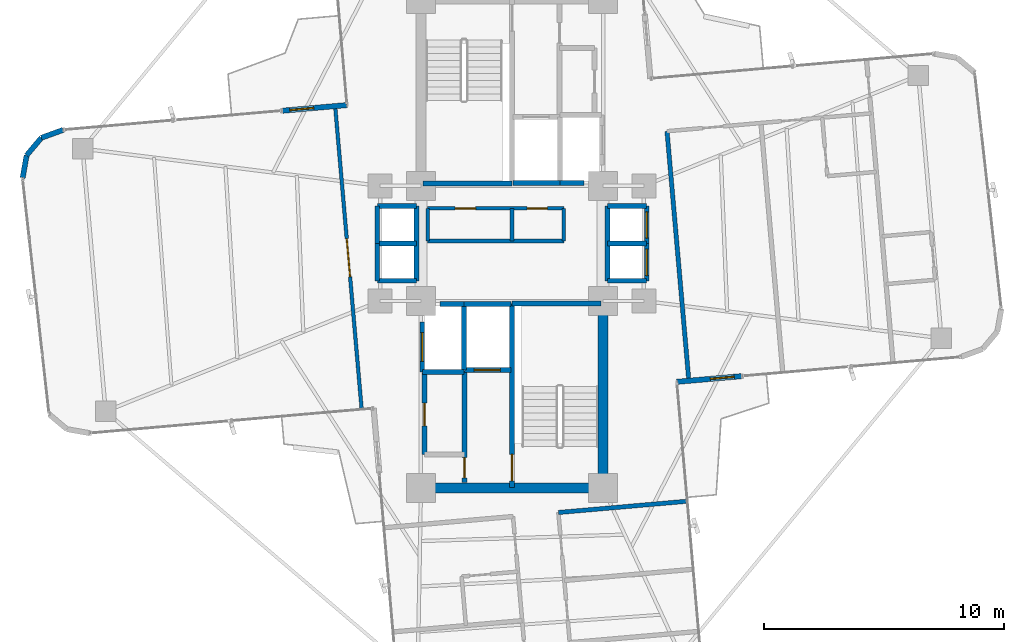
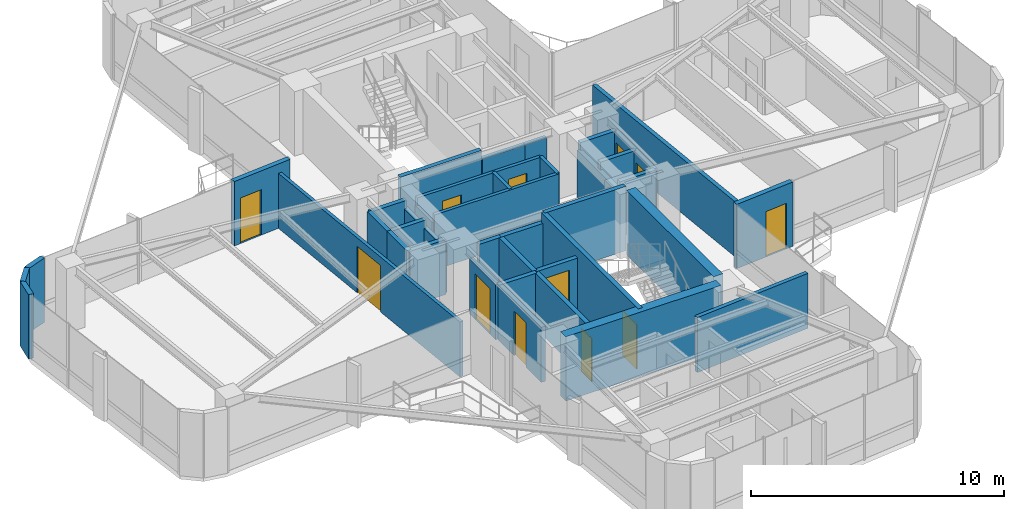
# One storey, part 21 of 24: 40 walls, 12 doors, 12 openings.
"""IFC4 building model written with IfcOpenShell, lengths in metres."""

from ifc_helpers import new_model, si_unit, direction, frame, frame_2d, origin, origin_2d, place, context, subcontext, project, spatial, rectangle, extrude, source, transform, mapped, material, layer, layer_set, type_object, element, fill, save


model = new_model("IFC4")

# Units and contexts
model_context = context("Model", 3, precision=1e-05, world=origin(), true_north=direction((0.0, 1.0)))
body_context = subcontext(model_context, "Body", "Model", "MODEL_VIEW")
ifc_project = project(units=[si_unit("LENGTHUNIT", "METRE"), si_unit("AREAUNIT", "SQUARE_METRE"), si_unit("VOLUMEUNIT", "CUBIC_METRE"), si_unit("PLANEANGLEUNIT", "RADIAN"), si_unit("MASSUNIT", "GRAM", prefix="KILO")], contexts=[model_context])

# Site, building, storey
site_placement = place(None, origin())
site = spatial("IfcSite", under=ifc_project, at=site_placement, CompositionType="ELEMENT")
building_placement = place(site_placement, origin())
building = spatial("IfcBuilding", under=site, at=building_placement, Name="Sahyath Konkavel Grand Hotel", CompositionType="ELEMENT")
storey_placement = place(building_placement, frame((0.0, 0.0, 175.199951171875)))
storey = spatial("IfcBuildingStorey", under=building, at=storey_placement, Name="L48", CompositionType="ELEMENT", Elevation=175.199951171875)

# Walls
ifc_material_1 = material(Name="Concrete C50/60", Category="concrete")
ifc_layer_1 = layer(ifc_material_1, 0.419921875)
ifc_layer_set_1 = layer_set([ifc_layer_1], Name="Concrete C50/60")
wall_type_1 = type_object("IfcWallType", Name="CWALL-420", PredefinedType="SHEAR", material=ifc_layer_set_1)
wall_1_placement = place(storey_placement, frame((-3.550048828125, -10.199951171875, 0.0), z_axis=(0.0, 0.0, 1.0), x_axis=(1.0, 0.0, 0.0)))
element("IfcWall", 1, at=wall_1_placement, inside=storey, type_object=wall_type_1, Name="L48 South Core Shear Wall S", PredefinedType="SHEAR", context=body_context, shape_type="SweptSolid", body=[
    extrude(rectangle(XDim=7.10009765625, YDim=0.419921875, at=frame_2d((3.550048828125, 0.0))), origin(), (0.0, 0.0, 1.0), 3.110107421875),
])
wall_2_placement = place(storey_placement, frame((3.800048828125, -9.75, 0.0), z_axis=(0.0, 0.0, 1.0), x_axis=(0.0, 1.0, 0.0)))
element("IfcWall", 2, at=wall_2_placement, inside=storey, type_object=wall_type_1, Name="L48 South Core Shear Wall E", PredefinedType="SHEAR", context=body_context, shape_type="SweptSolid", body=[
    extrude(rectangle(XDim=6.89990234375, YDim=0.419921875, at=frame_2d((3.449951171875, 0.0))), origin(), (0.0, 0.0, 1.0), 3.110107421875),
])

# Wall, opening, door
ifc_material_2 = material(Name="Warm Buff Sandstone Insulated Concrete C40/50", Category="masonry")
ifc_layer_2 = layer(ifc_material_2, 0.219970703125)
ifc_layer_set_2 = layer_set([ifc_layer_2], Name="Warm Buff Sandstone Insulated Concrete C40/50")
wall_type_2 = type_object("IfcWallType", Name="WLL-BALC-THRESH", PredefinedType="STANDARD", material=ifc_layer_set_2)
wall_3_placement = place(storey_placement, frame((6.87939453125, -5.7724609375, 0.0), z_axis=(0.0, 0.0, 1.0), x_axis=(0.996193619346, 0.087168071984, 0.0)))
wall_3 = element("IfcWall", 3, at=wall_3_placement, inside=storey, type_object=wall_type_2, Name="L48 Winter-Garden Threshold Wall 0", PredefinedType="STANDARD", context=body_context, shape_type="SweptSolid", body=[
    extrude(rectangle(XDim=2.699951171875, YDim=0.219970703125, at=frame_2d((1.35009765625, 0.0))), origin(), (0.0, 0.0, 1.0), 3.110107421875),
])
opening_1_placement = place(wall_3_placement, frame((1.39990234375, 0.0, 0.0)))
opening_1 = element("IfcOpeningElement", 4, at=opening_1_placement, cuts=wall_3, Name="Opening D-TR1", PredefinedType="OPENING", context=body_context, shape_type="SweptSolid", body=[
    extrude(rectangle(XDim=1.0, YDim=2.199951171875, at=frame_2d((0.5, 1.10009765625))), frame((0.0, 0.1201171875, 0.0), z_axis=(0.0, -1.0, 0.0), x_axis=(1.0, 0.0, 0.0)), (0.0, 0.0, 1.0), 0.239990234375),
])
ifc_material_3 = material(Name="Anodised Bronze Aluminium & Low-E Glazing", Category="aluminium")
door_type_1 = type_object("IfcDoorType", Name="DR-TERRACE-1000", OperationType="NOTDEFINED", PredefinedType="DOOR", material=ifc_material_3)
shared_shape_1 = source(origin(), body_context, "Body", "SweptSolid", [
    extrude(rectangle(XDim=1.0, YDim=0.050048828125, at=origin_2d()), origin(), (0.0, 0.0, 1.0), 2.199951171875),
])
door_1_placement = place(opening_1_placement, frame((0.5, 0.0, 0.0)))
door_1 = element("IfcDoor", 5, at=door_1_placement, inside=storey, type_object=door_type_1, Name="L48 Winter-Garden Terrace Door 0", OperationType="SINGLE_SWING_LEFT", OverallHeight=2.199951171875, OverallWidth=1.0, PredefinedType="DOOR", context=body_context, shape_type="MappedRepresentation", body=[
    mapped(shared_shape_1, transform((0.0, 0.0, 0.0), scale=1.0)),
])
fill(opening_1, door_1)

wall_4_placement = place(storey_placement, frame((-6.87939453125, 5.7724609375, 0.0), z_axis=(0.0, 0.0, 1.0), x_axis=(-0.996193619346, -0.087168071984, 0.0)))
wall_4 = element("IfcWall", 6, at=wall_4_placement, inside=storey, type_object=wall_type_2, Name="L48 Winter-Garden Threshold Wall 16", PredefinedType="STANDARD", context=body_context, shape_type="SweptSolid", body=[
    extrude(rectangle(XDim=2.699951171875, YDim=0.219970703125, at=frame_2d((1.35009765625, 0.0))), origin(), (0.0, 0.0, 1.0), 3.110107421875),
])
opening_2_placement = place(wall_4_placement, frame((1.39990234375, 0.0, 0.0)))
opening_2 = element("IfcOpeningElement", 7, at=opening_2_placement, cuts=wall_4, Name="Opening D-TR1", PredefinedType="OPENING", context=body_context, shape_type="SweptSolid", body=[
    extrude(rectangle(XDim=1.0, YDim=2.199951171875, at=frame_2d((0.5, 1.10009765625))), frame((0.0, 0.1201171875, 0.0), z_axis=(0.0, -1.0, 0.0), x_axis=(1.0, 0.0, 0.0)), (0.0, 0.0, 1.0), 0.239990234375),
])
door_2_placement = place(opening_2_placement, frame((0.5, 0.0, 0.0)))
door_2 = element("IfcDoor", 8, at=door_2_placement, inside=storey, type_object=door_type_1, Name="L48 Winter-Garden Terrace Door 16", OperationType="SINGLE_SWING_LEFT", OverallHeight=2.199951171875, OverallWidth=1.0, PredefinedType="DOOR", context=body_context, shape_type="MappedRepresentation", body=[
    mapped(shared_shape_1, transform((0.0, 0.0, 0.0), scale=1.0)),
])
fill(opening_2, door_2)

# Walls
wall_5_placement = place(storey_placement, frame((-18.73388671875, 4.735107421875, 0.0), z_axis=(0.0, 0.0, 1.0), x_axis=(-0.939741306239, -0.34188635151, 0.0)))
element("IfcWall", 9, at=wall_5_placement, inside=storey, type_object=wall_type_2, Name="L48 Rounded Corner Sandstone Pier 17", PredefinedType="STANDARD", context=body_context, shape_type="SweptSolid", body=[
    extrude(rectangle(XDim=0.95751953125, YDim=0.219970703125, at=frame_2d((0.478759765625, 0.0))), origin(), (0.0, 0.0, 1.0), 3.110107421875),
])
for number, where, z_axis, x_axis, name in (
    (10, (-19.6337890625, 4.40771484375, 0.0), (0.0, 0.0, 1.0), (-0.642863236823, -0.765980978054, 0.0), "L48 Rounded Corner Sandstone Pier 18"),
    (11, (-20.24951171875, 3.674072265625, 0.0), (0.0, 0.0, 1.0), (-0.173610811841, -0.984814340885, 0.0), "L48 Rounded Corner Sandstone Pier 19"),
):
    element("IfcWall", number, at=place(storey_placement, frame(where, z_axis=z_axis, x_axis=x_axis)), inside=storey, type_object=wall_type_2, Name=name, PredefinedType="STANDARD", context=body_context, shape_type="SweptSolid", body=[
        extrude(rectangle(XDim=0.957763671875, YDim=0.219970703125, at=frame_2d((0.47900390625, 0.0))), origin(), (0.0, 0.0, 1.0), 3.110107421875),
    ])
ifc_material_4 = material(Name="Concrete C40/50", Category="concrete")
ifc_layer_3 = layer(ifc_material_4, 0.199951171875)
ifc_layer_set_3 = layer_set([ifc_layer_3], Name="Concrete C40/50")
wall_type_3 = type_object("IfcWallType", Name="WLL-CORE-200", PredefinedType="SOLIDWALL", material=ifc_layer_set_3)
wall_6_placement = place(storey_placement, frame((-3.719970703125, 2.5, 0.0), z_axis=(0.0, 0.0, 1.0), x_axis=(1.0, 0.0, 0.0)))
element("IfcWall", 12, at=wall_6_placement, inside=storey, type_object=wall_type_3, Name="L48 Stair ST-1 Shaft Wall S", PredefinedType="SOLIDWALL", context=body_context, shape_type="SweptSolid", body=[
    extrude(rectangle(XDim=3.719970703125, YDim=0.199951171875, at=frame_2d((1.85986328125, 0.0))), origin(), (0.0, 0.0, 1.0), 3.110107421875),
])

# Wall, opening, door
wall_7_placement = place(storey_placement, frame((0.0, -10.179931640625, 0.0), z_axis=(0.0, 0.0, 1.0), x_axis=(0.0, 1.0, 0.0)))
wall_7 = element("IfcWall", 13, at=wall_7_placement, inside=storey, type_object=wall_type_3, Name="L48 Stair ST-2 Shaft Wall W", PredefinedType="SOLIDWALL", context=body_context, shape_type="SweptSolid", body=[
    extrude(rectangle(XDim=7.679931640625, YDim=0.199951171875, at=frame_2d((3.83984375, 0.0))), origin(), (0.0, 0.0, 1.0), 3.110107421875),
])
opening_3_placement = place(wall_7_placement, frame((0.280029296875, 0.0, 0.0)))
opening_3 = element("IfcOpeningElement", 14, at=opening_3_placement, cuts=wall_7, Name="Opening D-F12B", PredefinedType="OPENING", context=body_context, shape_type="SweptSolid", body=[
    extrude(rectangle(XDim=1.10009765625, YDim=2.14990234375, at=frame_2d((0.550048828125, 1.074951171875))), frame((0.0, 0.10986328125, 0.0), z_axis=(0.0, -1.0, 0.0), x_axis=(1.0, 0.0, 0.0)), (0.0, 0.0, 1.0), 0.219970703125),
])
ifc_material_5 = material(Name="Steel E350 Smokeproof Fire Door", Category="steel")
door_type_2 = type_object("IfcDoorType", Name="DR-FD120-1100", OperationType="NOTDEFINED", PredefinedType="DOOR", material=ifc_material_5)
shared_shape_2 = source(origin(), body_context, "Body", "SweptSolid", [
    extrude(rectangle(XDim=1.10009765625, YDim=0.050048828125, at=origin_2d()), origin(), (0.0, 0.0, 1.0), 2.14990234375),
])
door_3_placement = place(opening_3_placement, frame((0.550048828125, 0.0, 0.0)))
door_3 = element("IfcDoor", 15, at=door_3_placement, inside=storey, type_object=door_type_2, Name="L48 Stair ST-2 Fire Door", OperationType="SINGLE_SWING_LEFT", OverallHeight=2.14990234375, OverallWidth=1.10009765625, PredefinedType="DOOR", context=body_context, shape_type="MappedRepresentation", body=[
    mapped(shared_shape_2, transform((0.0, 0.0, 0.0), scale=1.0)),
])
fill(opening_3, door_3)

# Wall
wall_8_placement = place(storey_placement, frame((0.0, -2.5, 0.0), z_axis=(0.0, 0.0, 1.0), x_axis=(1.0, 0.0, 0.0)))
element("IfcWall", 16, at=wall_8_placement, inside=storey, type_object=wall_type_3, Name="L48 Stair ST-2 Shaft Wall N", PredefinedType="SOLIDWALL", context=body_context, shape_type="SweptSolid", body=[
    extrude(rectangle(XDim=3.719970703125, YDim=0.199951171875, at=frame_2d((1.85986328125, 0.0))), origin(), (0.0, 0.0, 1.0), 3.110107421875),
])

# Wall, opening, door
wall_9_placement = place(storey_placement, frame((-1.97998046875, -9.97998046875, 0.0), z_axis=(0.0, 0.0, 1.0), x_axis=(0.0, 1.0, 0.0)))
wall_9 = element("IfcWall", 17, at=wall_9_placement, inside=storey, type_object=wall_type_3, Name="L48 South Firefighting Lobby Wall W", PredefinedType="SOLIDWALL", context=body_context, shape_type="SweptSolid", body=[
    extrude(rectangle(XDim=4.659912109375, YDim=0.199951171875, at=frame_2d((2.330078125, 0.0))), origin(), (0.0, 0.0, 1.0), 2.66015625),
])
opening_4_placement = place(wall_9_placement, frame((0.199951171875, 0.0, 0.0)))
opening_4 = element("IfcOpeningElement", 18, at=opening_4_placement, cuts=wall_9, Name="Opening D-F12D", PredefinedType="OPENING", context=body_context, shape_type="SweptSolid", body=[
    extrude(rectangle(XDim=0.85009765625, YDim=2.10009765625, at=frame_2d((0.425048828125, 1.050048828125))), frame((0.0, 0.10986328125, 0.0), z_axis=(0.0, -1.0, 0.0), x_axis=(1.0, 0.0, 0.0)), (0.0, 0.0, 1.0), 0.219970703125),
])
ifc_material_6 = material(Name="Steel E350 Core Fire Door", Category="steel")
door_type_3 = type_object("IfcDoorType", Name="DR-FD120-850", OperationType="NOTDEFINED", PredefinedType="DOOR", material=ifc_material_6)
shared_shape_3 = source(origin(), body_context, "Body", "SweptSolid", [
    extrude(rectangle(XDim=0.85009765625, YDim=0.050048828125, at=origin_2d()), origin(), (0.0, 0.0, 1.0), 2.10009765625),
])
door_4_placement = place(opening_4_placement, frame((0.425048828125, 0.0, 0.0)))
door_4 = element("IfcDoor", 19, at=door_4_placement, inside=storey, type_object=door_type_3, Name="L48 South Firefighting Lobby Door", OperationType="SINGLE_SWING_LEFT", OverallHeight=2.10009765625, OverallWidth=0.85009765625, PredefinedType="DOOR", context=body_context, shape_type="MappedRepresentation", body=[
    mapped(shared_shape_3, transform((0.0, 0.0, 0.0), scale=1.0)),
])
fill(opening_4, door_4)

# Walls
wall_10_placement = place(storey_placement, frame((0.050048828125, 2.52001953125, 0.0), z_axis=(0.0, 0.0, 1.0), x_axis=(1.0, 0.0, 0.0)))
element("IfcWall", 20, at=wall_10_placement, inside=storey, type_object=wall_type_3, Name="L48 Partition SH-FFL1-S", PredefinedType="SOLIDWALL", context=body_context, shape_type="SweptSolid", body=[
    extrude(rectangle(XDim=1.949951171875, YDim=0.199951171875, at=frame_2d((0.97509765625, 0.0))), origin(), (0.0, 0.0, 1.0), 2.66015625),
])
wall_11_placement = place(storey_placement, frame((-2.0, -5.280029296875, 0.0), z_axis=(0.0, 0.0, 1.0), x_axis=(0.0, 1.0, 0.0)))
element("IfcWall", 21, at=wall_11_placement, inside=storey, type_object=wall_type_3, Name="L48 Partition SH-FFL2-W", PredefinedType="SOLIDWALL", context=body_context, shape_type="SweptSolid", body=[
    extrude(rectangle(XDim=2.780029296875, YDim=0.199951171875, at=frame_2d((1.39013671875, 0.0))), origin(), (0.0, 0.0, 1.0), 2.66015625),
])
wall_12_placement = place(storey_placement, frame((-2.0, -2.52001953125, 0.0), z_axis=(0.0, 0.0, 1.0), x_axis=(1.0, 0.0, 0.0)))
element("IfcWall", 22, at=wall_12_placement, inside=storey, type_object=wall_type_3, Name="L48 Partition SH-FFL2-N", PredefinedType="SOLIDWALL", context=body_context, shape_type="SweptSolid", body=[
    extrude(rectangle(XDim=1.949951171875, YDim=0.199951171875, at=frame_2d((0.97509765625, 0.0))), origin(), (0.0, 0.0, 1.0), 2.66015625),
])

# Wall, opening, door
wall_13_placement = place(storey_placement, frame((-1.97998046875, -5.280029296875, 0.0), z_axis=(0.0, 0.0, 1.0), x_axis=(1.0, 0.0, 0.0)))
wall_13 = element("IfcWall", 23, at=wall_13_placement, inside=storey, type_object=wall_type_3, Name="L48 Partition SH-FFL2-S", PredefinedType="SOLIDWALL", context=body_context, shape_type="SweptSolid", body=[
    extrude(rectangle(XDim=1.929931640625, YDim=0.199951171875, at=frame_2d((0.96484375, 0.0))), origin(), (0.0, 0.0, 1.0), 2.66015625),
])
opening_5_placement = place(wall_13_placement, frame((0.39990234375, 0.0, 0.0)))
opening_5 = element("IfcOpeningElement", 24, at=opening_5_placement, cuts=wall_13, Name="Opening LD-11", PredefinedType="OPENING", context=body_context, shape_type="SweptSolid", body=[
    extrude(rectangle(XDim=1.10009765625, YDim=2.199951171875, at=frame_2d((0.550048828125, 1.10009765625))), frame((0.0, 0.10986328125, 0.0), z_axis=(0.0, -1.0, 0.0), x_axis=(1.0, 0.0, 0.0)), (0.0, 0.0, 1.0), 0.219970703125),
])
ifc_material_7 = material(Name="Bronze Lift Landing Door 1100")
door_type_4 = type_object("IfcDoorType", Name="DR-LIFT-1100", OperationType="DOUBLE_DOOR_SLIDING", PredefinedType="DOOR", material=ifc_material_7)
shared_shape_4 = source(origin(), body_context, "Body", "SweptSolid", [
    extrude(rectangle(XDim=1.10009765625, YDim=0.050048828125, at=origin_2d()), origin(), (0.0, 0.0, 1.0), 2.199951171875),
])
door_5_placement = place(opening_5_placement, frame((0.550048828125, 0.0, 0.0)))
door_5 = element("IfcDoor", 25, at=door_5_placement, inside=storey, type_object=door_type_4, Name="L48 Lift FFL-2 Landing Door", OperationType="DOUBLE_DOOR_SLIDING", OverallHeight=2.199951171875, OverallWidth=1.10009765625, PredefinedType="DOOR", context=body_context, shape_type="MappedRepresentation", body=[
    mapped(shared_shape_4, transform((0.0, 0.0, 0.0), scale=1.0)),
])
fill(opening_5, door_5)

# Walls
for number, where, z_axis, x_axis, name in (
    (26, (2.0, 2.52001953125, 0.0), (0.0, 0.0, 1.0), (1.0, 0.0, 0.0), "L48 Partition SH-SVL1-S"),
    (27, (-3.0, -2.52001953125, 0.0), (0.0, 0.0, 1.0), (1.0, 0.0, 0.0), "L48 Partition SH-SVL2-N"),
):
    element("IfcWall", number, at=place(storey_placement, frame(where, z_axis=z_axis, x_axis=x_axis)), inside=storey, type_object=wall_type_3, Name=name, PredefinedType="SOLIDWALL", context=body_context, shape_type="SweptSolid", body=[
        extrude(rectangle(XDim=1.0, YDim=0.199951171875, at=frame_2d((0.5, 0.0))), origin(), (0.0, 0.0, 1.0), 2.66015625),
    ])
wall_14_placement = place(storey_placement, frame((-3.739990234375, -5.360107421875, 0.0), z_axis=(0.0, 0.0, 1.0), x_axis=(1.0, 0.0, 0.0)))
element("IfcWall", 28, at=wall_14_placement, inside=storey, type_object=wall_type_3, Name="L48 Partition SH-SVL2-S", PredefinedType="SOLIDWALL", context=body_context, shape_type="SweptSolid", body=[
    extrude(rectangle(XDim=1.739990234375, YDim=0.199951171875, at=frame_2d((0.8701171875, 0.0))), origin(), (0.0, 0.0, 1.0), 2.66015625),
])

# Wall, opening, door
wall_15_placement = place(storey_placement, frame((-3.739990234375, -5.360107421875, 0.0), z_axis=(0.0, 0.0, 1.0), x_axis=(0.0, 1.0, 0.0)))
wall_15 = element("IfcWall", 29, at=wall_15_placement, inside=storey, type_object=wall_type_3, Name="L48 Partition SH-SVL2-W", PredefinedType="SOLIDWALL", context=body_context, shape_type="SweptSolid", body=[
    extrude(rectangle(XDim=2.080078125, YDim=0.199951171875, at=frame_2d((1.0400390625, 0.0))), origin(), (0.0, 0.0, 1.0), 2.66015625),
])
opening_6_placement = place(wall_15_placement, frame((0.43994140625, 0.0, 0.0)))
opening_6 = element("IfcOpeningElement", 30, at=opening_6_placement, cuts=wall_15, Name="Opening LD-12", PredefinedType="OPENING", context=body_context, shape_type="SweptSolid", body=[
    extrude(rectangle(XDim=1.199951171875, YDim=2.199951171875, at=frame_2d((0.60009765625, 1.10009765625))), frame((0.0, 0.10986328125, 0.0), z_axis=(0.0, -1.0, 0.0), x_axis=(1.0, 0.0, 0.0)), (0.0, 0.0, 1.0), 0.219970703125),
])
ifc_material_8 = material(Name="Stainless Steel Lift Landing Door 1200", Category="steel")
door_type_5 = type_object("IfcDoorType", Name="DR-LIFT-1200", OperationType="DOUBLE_DOOR_SLIDING", PredefinedType="DOOR", material=ifc_material_8)
shared_shape_5 = source(origin(), body_context, "Body", "SweptSolid", [
    extrude(rectangle(XDim=1.199951171875, YDim=0.050048828125, at=origin_2d()), origin(), (0.0, 0.0, 1.0), 2.199951171875),
])
door_6_placement = place(opening_6_placement, frame((0.60009765625, 0.0, 0.0)))
door_6 = element("IfcDoor", 31, at=door_6_placement, inside=storey, type_object=door_type_5, Name="L48 Service Lift SVL-2 Landing Door", OperationType="DOUBLE_DOOR_SLIDING", OverallHeight=2.199951171875, OverallWidth=1.199951171875, PredefinedType="DOOR", context=body_context, shape_type="MappedRepresentation", body=[
    mapped(shared_shape_5, transform((0.0, 0.0, 0.0), scale=1.0)),
])
fill(opening_6, door_6)

# Walls
wall_16_placement = place(storey_placement, frame((3.97998046875, -1.56005859375, 0.0), z_axis=(0.0, 0.0, 1.0), x_axis=(0.0, 1.0, 0.0)))
element("IfcWall", 32, at=wall_16_placement, inside=storey, type_object=wall_type_3, Name="L48 Partition SH-PL56-W", PredefinedType="SOLIDWALL", context=body_context, shape_type="SweptSolid", body=[
    extrude(rectangle(XDim=3.1201171875, YDim=0.199951171875, at=frame_2d((1.56005859375, 0.0))), origin(), (0.0, 0.0, 1.0), 2.280029296875),
])
for number, where, z_axis, x_axis, name in (
    (33, (3.97998046875, 1.56005859375, 0.0), (0.0, 0.0, 1.0), (1.0, 0.0, 0.0), "L48 Partition SH-PL56-N"),
    (34, (3.97998046875, -1.56005859375, 0.0), (0.0, 0.0, 1.0), (1.0, 0.0, 0.0), "L48 Partition SH-PL56-S"),
    (35, (3.97998046875, 0.0, 0.0), (0.0, 0.0, 1.0), (1.0, 0.0, 0.0), "L48 Partition SH-PL56-M"),
):
    element("IfcWall", number, at=place(storey_placement, frame(where, z_axis=z_axis, x_axis=x_axis)), inside=storey, type_object=wall_type_3, Name=name, PredefinedType="SOLIDWALL", context=body_context, shape_type="SweptSolid", body=[
        extrude(rectangle(XDim=1.64013671875, YDim=0.199951171875, at=frame_2d((0.820068359375, 0.0))), origin(), (0.0, 0.0, 1.0), 2.66015625),
    ])

# Wall, opening, door
wall_17_placement = place(storey_placement, frame((5.6201171875, 0.0, 0.0), z_axis=(0.0, 0.0, 1.0), x_axis=(0.0, 1.0, 0.0)))
wall_17 = element("IfcWall", 36, at=wall_17_placement, inside=storey, type_object=wall_type_3, Name="L48 Partition SH-PL5-E", PredefinedType="SOLIDWALL", context=body_context, shape_type="SweptSolid", body=[
    extrude(rectangle(XDim=1.56005859375, YDim=0.199951171875, at=frame_2d((0.780029296875, 0.0))), origin(), (0.0, 0.0, 1.0), 2.66015625),
])
opening_7_placement = place(wall_17_placement, frame((0.219970703125, 0.0, 0.0)))
opening_7 = element("IfcOpeningElement", 37, at=opening_7_placement, cuts=wall_17, Name="Opening LD-11", PredefinedType="OPENING", context=body_context, shape_type="SweptSolid", body=[
    extrude(rectangle(XDim=1.10009765625, YDim=2.199951171875, at=frame_2d((0.550048828125, 1.10009765625))), frame((0.0, 0.10986328125, 0.0), z_axis=(0.0, -1.0, 0.0), x_axis=(1.0, 0.0, 0.0)), (0.0, 0.0, 1.0), 0.219970703125),
])
door_7_placement = place(opening_7_placement, frame((0.550048828125, 0.0, 0.0)))
door_7 = element("IfcDoor", 38, at=door_7_placement, inside=storey, type_object=door_type_4, Name="L48 High-Rise Lift PL-5 Landing Door", OperationType="DOUBLE_DOOR_SLIDING", OverallHeight=2.199951171875, OverallWidth=1.10009765625, PredefinedType="DOOR", context=body_context, shape_type="MappedRepresentation", body=[
    mapped(shared_shape_4, transform((0.0, 0.0, 0.0), scale=1.0)),
])
fill(opening_7, door_7)

wall_18_placement = place(storey_placement, frame((5.6201171875, -1.56005859375, 0.0), z_axis=(0.0, 0.0, 1.0), x_axis=(0.0, 1.0, 0.0)))
wall_18 = element("IfcWall", 39, at=wall_18_placement, inside=storey, type_object=wall_type_3, Name="L48 Partition SH-PL6-E", PredefinedType="SOLIDWALL", context=body_context, shape_type="SweptSolid", body=[
    extrude(rectangle(XDim=1.56005859375, YDim=0.199951171875, at=frame_2d((0.780029296875, 0.0))), origin(), (0.0, 0.0, 1.0), 2.66015625),
])
opening_8_placement = place(wall_18_placement, frame((0.219970703125, 0.0, 0.0)))
opening_8 = element("IfcOpeningElement", 40, at=opening_8_placement, cuts=wall_18, Name="Opening LD-11", PredefinedType="OPENING", context=body_context, shape_type="SweptSolid", body=[
    extrude(rectangle(XDim=1.10009765625, YDim=2.199951171875, at=frame_2d((0.550048828125, 1.10009765625))), frame((0.0, 0.10986328125, 0.0), z_axis=(0.0, -1.0, 0.0), x_axis=(1.0, 0.0, 0.0)), (0.0, 0.0, 1.0), 0.219970703125),
])
door_8_placement = place(opening_8_placement, frame((0.550048828125, 0.0, 0.0)))
door_8 = element("IfcDoor", 41, at=door_8_placement, inside=storey, type_object=door_type_4, Name="L48 High-Rise Lift PL-6 Landing Door", OperationType="DOUBLE_DOOR_SLIDING", OverallHeight=2.199951171875, OverallWidth=1.10009765625, PredefinedType="DOOR", context=body_context, shape_type="MappedRepresentation", body=[
    mapped(shared_shape_4, transform((0.0, 0.0, 0.0), scale=1.0)),
])
fill(opening_8, door_8)

# Walls
wall_19_placement = place(storey_placement, frame((-3.97998046875, -1.56005859375, 0.0), z_axis=(0.0, 0.0, 1.0), x_axis=(0.0, 1.0, 0.0)))
element("IfcWall", 42, at=wall_19_placement, inside=storey, type_object=wall_type_3, Name="L48 Partition SH-SL12-E", PredefinedType="SOLIDWALL", context=body_context, shape_type="SweptSolid", body=[
    extrude(rectangle(XDim=3.1201171875, YDim=0.199951171875, at=frame_2d((1.56005859375, 0.0))), origin(), (0.0, 0.0, 1.0), 2.280029296875),
])
for number, where, z_axis, x_axis, name in (
    (43, (-5.6201171875, 1.56005859375, 0.0), (0.0, 0.0, 1.0), (1.0, 0.0, 0.0), "L48 Partition SH-SL12-N"),
    (44, (-5.6201171875, -1.56005859375, 0.0), (0.0, 0.0, 1.0), (1.0, 0.0, 0.0), "L48 Partition SH-SL12-S"),
    (45, (-5.6201171875, 0.0, 0.0), (0.0, 0.0, 1.0), (1.0, 0.0, 0.0), "L48 Partition SH-SL12-M"),
):
    element("IfcWall", number, at=place(storey_placement, frame(where, z_axis=z_axis, x_axis=x_axis)), inside=storey, type_object=wall_type_3, Name=name, PredefinedType="SOLIDWALL", context=body_context, shape_type="SweptSolid", body=[
        extrude(rectangle(XDim=1.64013671875, YDim=0.199951171875, at=frame_2d((0.820068359375, 0.0))), origin(), (0.0, 0.0, 1.0), 2.66015625),
    ])
for number, where, z_axis, x_axis, name in (
    (46, (-5.6201171875, 0.0, 0.0), (0.0, 0.0, 1.0), (0.0, 1.0, 0.0), "L48 Partition SH-SL1-W"),
    (47, (-5.6201171875, -1.56005859375, 0.0), (0.0, 0.0, 1.0), (0.0, 1.0, 0.0), "L48 Partition SH-SL2-W"),
):
    element("IfcWall", number, at=place(storey_placement, frame(where, z_axis=z_axis, x_axis=x_axis)), inside=storey, type_object=wall_type_3, Name=name, PredefinedType="SOLIDWALL", context=body_context, shape_type="SweptSolid", body=[
        extrude(rectangle(XDim=1.56005859375, YDim=0.199951171875, at=frame_2d((0.780029296875, 0.0))), origin(), (0.0, 0.0, 1.0), 2.66015625),
    ])

# Wall, opening, door
wall_20_placement = place(storey_placement, frame((-3.64990234375, -8.81005859375, 0.0), z_axis=(0.0, 0.0, 1.0), x_axis=(0.0, 1.0, 0.0)))
wall_20 = element("IfcWall", 48, at=wall_20_placement, inside=storey, type_object=wall_type_3, Name="L48 Reclaimed South Core Wall W", PredefinedType="SOLIDWALL", context=body_context, shape_type="SweptSolid", body=[
    extrude(rectangle(XDim=3.43017578125, YDim=0.199951171875, at=frame_2d((1.715087890625, 0.0))), origin(), (0.0, 0.0, 1.0), 2.66015625),
])
opening_9_placement = place(wall_20_placement, frame((1.199951171875, 0.0, 0.0)))
opening_9 = element("IfcOpeningElement", 49, at=opening_9_placement, cuts=wall_20, Name="Opening D-AC95", PredefinedType="OPENING", context=body_context, shape_type="SweptSolid", body=[
    extrude(rectangle(XDim=0.949951171875, YDim=2.14990234375, at=frame_2d((0.47509765625, 1.074951171875))), frame((0.0, 0.10986328125, 0.0), z_axis=(0.0, -1.0, 0.0), x_axis=(1.0, 0.0, 0.0)), (0.0, 0.0, 1.0), 0.219970703125),
])
ifc_material_9 = material(Name="Accessible Washroom Timber Door", Category="wood")
door_type_6 = type_object("IfcDoorType", Name="DR-ACC-950", OperationType="NOTDEFINED", PredefinedType="DOOR", material=ifc_material_9)
shared_shape_6 = source(origin(), body_context, "Body", "SweptSolid", [
    extrude(rectangle(XDim=0.949951171875, YDim=0.050048828125, at=origin_2d()), origin(), (0.0, 0.0, 1.0), 2.14990234375),
])
door_9_placement = place(opening_9_placement, frame((0.47509765625, 0.0, 0.0)))
door_9 = element("IfcDoor", 50, at=door_9_placement, inside=storey, type_object=door_type_6, Name="L48 Door SC-REC1-D", OperationType="SINGLE_SWING_LEFT", OverallHeight=2.14990234375, OverallWidth=0.949951171875, PredefinedType="DOOR", context=body_context, shape_type="MappedRepresentation", body=[
    mapped(shared_shape_6, transform((0.0, 0.0, 0.0), scale=1.0)),
])
fill(opening_9, door_9)

# Walls
ifc_material_10 = material(Name="Twin-Stud Acoustic Gypsum Plasterboard Partition")
ifc_layer_4 = layer(ifc_material_10, 0.179931640625)
ifc_layer_set_4 = layer_set([ifc_layer_4], Name="Twin-Stud Acoustic Gypsum Plasterboard Partition")
wall_type_4 = type_object("IfcWallType", Name="WLL-DEMISE-180", PredefinedType="PARTITIONING", material=ifc_layer_set_4)
wall_21_placement = place(storey_placement, frame((7.373046875, -5.678955078125, 0.0), z_axis=(0.0, 0.0, 1.0), x_axis=(-0.087163455754, 0.996194023261, 0.0)))
element("IfcWall", 51, at=wall_21_placement, inside=storey, type_object=wall_type_4, Name="L48 Partition E-G5I", PredefinedType="PARTITIONING", context=body_context, shape_type="SweptSolid", body=[
    extrude(rectangle(XDim=10.39990234375, YDim=0.179931640625, at=frame_2d((5.199951171875, 0.0))), origin(), (0.0, 0.0, 1.0), 2.66015625),
])
wall_22_placement = place(storey_placement, frame((1.935546875, -11.22412109375, 0.0), z_axis=(0.0, 0.0, 1.0), x_axis=(0.996194212812, 0.087161289348, 0.0)))
element("IfcWall", 52, at=wall_22_placement, inside=storey, type_object=wall_type_4, Name="L48 Partition S-INL", PredefinedType="PARTITIONING", context=body_context, shape_type="SweptSolid", body=[
    extrude(rectangle(XDim=5.349853515625, YDim=0.179931640625, at=frame_2d((2.6748046875, 0.0))), origin(), (0.0, 0.0, 1.0), 2.66015625),
])
ifc_material_11 = material(Name="Fire-Rated Gypsum Plasterboard Partition")
ifc_layer_5 = layer(ifc_material_11, 0.14990234375)
ifc_layer_set_5 = layer_set([ifc_layer_5], Name="Fire-Rated Gypsum Plasterboard Partition")
wall_type_5 = type_object("IfcWallType", Name="WLL-PART-150", PredefinedType="PARTITIONING", material=ifc_layer_set_5)
wall_23_placement = place(storey_placement, frame((-3.52001953125, 0.10009765625, 0.0), z_axis=(0.0, 0.0, 1.0), x_axis=(1.0, 0.0, 0.0)))
element("IfcWall", 53, at=wall_23_placement, inside=storey, type_object=wall_type_5, Name="L48 Partition CC-S0-FIX", PredefinedType="PARTITIONING", context=body_context, shape_type="SweptSolid", body=[
    extrude(rectangle(XDim=5.679931640625, YDim=0.14990234375, at=frame_2d((2.83984375, 0.0))), origin(), (0.0, 0.0, 1.0), 2.66015625),
])

# Wall, openings, doors
wall_24_placement = place(storey_placement, frame((-3.52001953125, 1.4599609375, 0.0), z_axis=(0.0, 0.0, 1.0), x_axis=(1.0, 0.0, 0.0)))
wall_24 = element("IfcWall", 54, at=wall_24_placement, inside=storey, type_object=wall_type_5, Name="L48 Partition CC-N0", PredefinedType="PARTITIONING", context=body_context, shape_type="SweptSolid", body=[
    extrude(rectangle(XDim=5.679931640625, YDim=0.14990234375, at=frame_2d((2.83984375, 0.0))), origin(), (0.0, 0.0, 1.0), 2.66015625),
])
opening_10_placement = place(wall_24_placement, frame((1.14990234375, 0.0, 0.0)))
opening_10 = element("IfcOpeningElement", 55, at=opening_10_placement, cuts=wall_24, Name="Opening D-F06D", PredefinedType="OPENING", context=body_context, shape_type="SweptSolid", body=[
    extrude(rectangle(XDim=0.85009765625, YDim=2.10009765625, at=frame_2d((0.425048828125, 1.050048828125))), frame((0.0, 0.0849609375, 0.0), z_axis=(0.0, -1.0, 0.0), x_axis=(1.0, 0.0, 0.0)), (0.0, 0.0, 1.0), 0.169921875),
])
opening_11_placement = place(wall_24_placement, frame((4.14990234375, 0.0, 0.0)))
opening_11 = element("IfcOpeningElement", 56, at=opening_11_placement, cuts=wall_24, Name="Opening D-F06D", PredefinedType="OPENING", context=body_context, shape_type="SweptSolid", body=[
    extrude(rectangle(XDim=0.85009765625, YDim=2.10009765625, at=frame_2d((0.425048828125, 1.050048828125))), frame((0.0, 0.0849609375, 0.0), z_axis=(0.0, -1.0, 0.0), x_axis=(1.0, 0.0, 0.0)), (0.0, 0.0, 1.0), 0.169921875),
])
ifc_material_12 = material(Name="Fire-Rated Shaft Access Door")
door_type_7 = type_object("IfcDoorType", Name="DR-FD60-850", OperationType="NOTDEFINED", PredefinedType="DOOR", material=ifc_material_12)
door_10_placement = place(opening_10_placement, frame((0.425048828125, 0.0, 0.0)))
door_10 = element("IfcDoor", 57, at=door_10_placement, inside=storey, type_object=door_type_7, Name="L48 Door CC-D0A", OperationType="SINGLE_SWING_RIGHT", OverallHeight=2.10009765625, OverallWidth=0.85009765625, PredefinedType="DOOR", context=body_context, shape_type="MappedRepresentation", body=[
    mapped(shared_shape_3, transform((0.0, 0.0, 0.0), scale=1.0)),
])
fill(opening_10, door_10)
door_11_placement = place(opening_11_placement, frame((0.425048828125, 0.0, 0.0)))
door_11 = element("IfcDoor", 58, at=door_11_placement, inside=storey, type_object=door_type_7, Name="L48 Door CC-D0B", OperationType="SINGLE_SWING_LEFT", OverallHeight=2.10009765625, OverallWidth=0.85009765625, PredefinedType="DOOR", context=body_context, shape_type="MappedRepresentation", body=[
    mapped(shared_shape_3, transform((0.0, 0.0, 0.0), scale=1.0)),
])
fill(opening_11, door_11)

# Walls
wall_25_placement = place(storey_placement, frame((-3.52001953125, 0.10009765625, 0.0), z_axis=(0.0, 0.0, 1.0), x_axis=(0.0, 1.0, 0.0)))
element("IfcWall", 59, at=wall_25_placement, inside=storey, type_object=wall_type_5, Name="L48 Partition CC-W0", PredefinedType="PARTITIONING", context=body_context, shape_type="SweptSolid", body=[
    extrude(rectangle(XDim=1.35986328125, YDim=0.14990234375, at=frame_2d((0.679931640625, 0.0))), origin(), (0.0, 0.0, 1.0), 2.280029296875),
])
for number, where, z_axis, x_axis, name in (
    (60, (2.159912109375, 0.10009765625, 0.0), (0.0, 0.0, 1.0), (0.0, 1.0, 0.0), "L48 Partition CC-E0"),
    (61, (0.0, 0.10009765625, 0.0), (0.0, 0.0, 1.0), (0.0, 1.0, 0.0), "L48 Partition CC-M0"),
):
    element("IfcWall", number, at=place(storey_placement, frame(where, z_axis=z_axis, x_axis=x_axis)), inside=storey, type_object=wall_type_5, Name=name, PredefinedType="PARTITIONING", context=body_context, shape_type="SweptSolid", body=[
        extrude(rectangle(XDim=1.35986328125, YDim=0.14990234375, at=frame_2d((0.679931640625, 0.0))), origin(), (0.0, 0.0, 1.0), 2.66015625),
    ])

# Wall, opening, door
wall_26_placement = place(storey_placement, frame((-7.373046875, 5.678955078125, 0.0), z_axis=(0.0, 0.0, 1.0), x_axis=(0.087154691724, -0.996194790044, 0.0)))
wall_26 = element("IfcWall", 62, at=wall_26_placement, inside=storey, type_object=wall_type_5, Name="L48 Partition W-SAL-IN", PredefinedType="PARTITIONING", context=body_context, shape_type="SweptSolid", body=[
    extrude(rectangle(XDim=12.599853515625, YDim=0.14990234375, at=frame_2d((6.2998046875, 0.0))), origin(), (0.0, 0.0, 1.0), 2.66015625),
])
opening_12_placement = place(wall_26_placement, frame((5.5, 0.0, 0.0)))
opening_12 = element("IfcOpeningElement", 63, at=opening_12_placement, cuts=wall_26, Name="Opening D-DB16", PredefinedType="OPENING", context=body_context, shape_type="SweptSolid", body=[
    extrude(rectangle(XDim=1.60009765625, YDim=2.25, at=frame_2d((0.800048828125, 1.125))), frame((0.0, 0.0849609375, 0.0), z_axis=(0.0, -1.0, 0.0), x_axis=(1.0, 0.0, 0.0)), (0.0, 0.0, 1.0), 0.169921875),
])
ifc_material_13 = material(Name="Double Leaf Lounge Glazed Timber Door", Category="wood")
door_type_8 = type_object("IfcDoorType", Name="DR-DBL-1600", OperationType="DOUBLE_DOOR_SINGLE_SWING", PredefinedType="DOOR", material=ifc_material_13)
shared_shape_7 = source(origin(), body_context, "Body", "SweptSolid", [
    extrude(rectangle(XDim=1.60009765625, YDim=0.050048828125, at=origin_2d()), origin(), (0.0, 0.0, 1.0), 2.25),
])
door_12_placement = place(opening_12_placement, frame((0.800048828125, 0.0, 0.0)))
door_12 = element("IfcDoor", 64, at=door_12_placement, inside=storey, type_object=door_type_8, Name="L48 Door W-SAL-D", OperationType="DOUBLE_DOOR_SINGLE_SWING", OverallHeight=2.25, OverallWidth=1.60009765625, PredefinedType="DOOR", context=body_context, shape_type="MappedRepresentation", body=[
    mapped(shared_shape_7, transform((0.0, 0.0, 0.0), scale=1.0)),
])
fill(opening_12, door_12)

save(model, "model.ifc")
